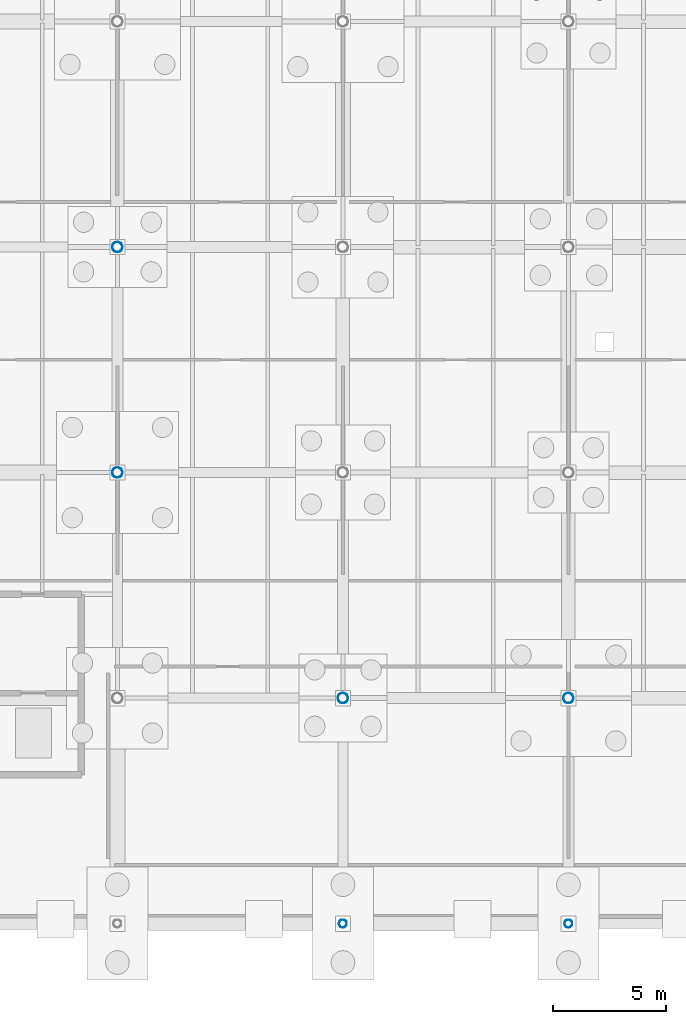
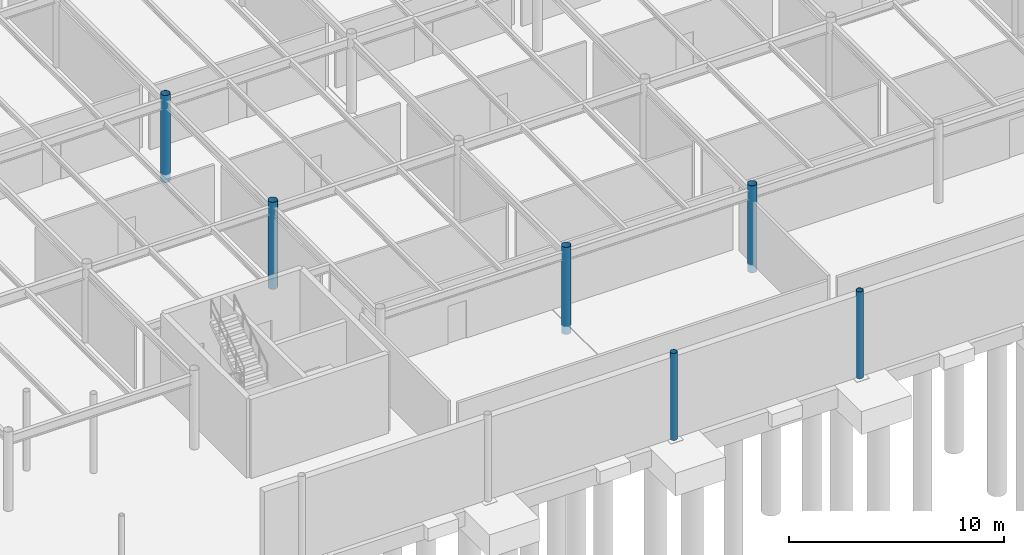
# One storey, part 20 of 75: 6 columns.
"""IFC4 building model written with IfcOpenShell, lengths in metres."""

from ifc_helpers import new_model, si_unit, derived_unit, direction, frame, origin, origin_2d_with_axis, place, context, subcontext, project, spatial, hollow_circle, extrude, material, material_profile, profile_set, type_object, element, save


model = new_model("IFC4")

# Units and contexts
model_context = context("Model", 3, precision=1e-05, world=origin(), true_north=direction((0.0, 1.0)))
body_context = subcontext(model_context, "Body", "Model", "MODEL_VIEW")
ifc_project = project(units=[si_unit("LENGTHUNIT", "METRE"), si_unit("AREAUNIT", "SQUARE_METRE"), si_unit("VOLUMEUNIT", "CUBIC_METRE"), si_unit("PLANEANGLEUNIT", "RADIAN"), si_unit("MASSUNIT", "GRAM", prefix="KILO"), derived_unit("THERMALTRANSMITTANCEUNIT", [(si_unit("POWERUNIT", "WATT"), 1), (si_unit("LENGTHUNIT", "METRE"), -2), (si_unit("THERMODYNAMICTEMPERATUREUNIT", "KELVIN"), -1)])], contexts=[model_context])

# Site, building, storey
site_placement = place(None, origin())
site = spatial("IfcSite", under=ifc_project, at=site_placement, CompositionType="ELEMENT")
building_placement = place(site_placement, origin())
building = spatial("IfcBuilding", under=site, at=building_placement, Name="Cinnabar Yard Market Hall", CompositionType="ELEMENT")
storey_placement = place(building_placement, frame((0.0, 0.0, -4.5)))
storey = spatial("IfcBuildingStorey", under=building, at=storey_placement, Name="B1", CompositionType="ELEMENT", Elevation=-4.5)

# Columns
ifc_material = material(Name="Spotted-gum glulam-clad steel Grade 350 (350 MPa)", Category="steel")
ifc_material_profile_1 = material_profile(ifc_material, hollow_circle(Radius=0.228515625, WallThickness=0.0126953125, at=origin_2d_with_axis()), Name="457.0x12.7CHS")
ifc_profile_set_1 = profile_set([ifc_material_profile_1], Name="Spotted-gum glulam-clad steel Grade 350 (350 MPa)")
column_type_1 = type_object("IfcColumnType", Name="COL-C01", PredefinedType="COLUMN", material=ifc_profile_set_1)
for number, where, z_axis, x_axis, name in (
    (1, (96.0, 34.0, -0.449951171875), (0.0, 0.0, 1.0), (1.0, 0.0, 0.0), "Tree Column V1I-03-02 B1"),
    (2, (96.0, 44.0, -0.449951171875), (0.0, 0.0, 1.0), (1.0, 0.0, 0.0), "Tree Column V1I-03-03 B1"),
    (3, (106.0, 24.0, -0.449951171875), (0.0, 0.0, 1.0), (1.0, 0.0, 0.0), "Tree Column V1I-04-01 B1"),
    (4, (116.0, 24.0, -0.449951171875), (0.0, 0.0, 1.0), (1.0, 0.0, 0.0), "Tree Column V1I-05-01 B1"),
):
    element("IfcColumn", number, at=place(storey_placement, frame(where, z_axis=z_axis, x_axis=x_axis)), inside=storey, type_object=column_type_1, Name=name, PredefinedType="COLUMN", context=body_context, shape_type="SweptSolid", body=[
        extrude(hollow_circle(Radius=0.228515625, WallThickness=0.0126953125, at=origin_2d_with_axis()), origin(), (0.0, 0.0, 1.0), 4.949951171875),
    ])
ifc_material_profile_2 = material_profile(ifc_material, hollow_circle(Radius=0.177734375, WallThickness=0.0126953125, at=origin_2d_with_axis()), Name="355.6x12.7CHS")
ifc_profile_set_2 = profile_set([ifc_material_profile_2], Name="Spotted-gum glulam-clad steel Grade 350 (350 MPa)")
column_type_2 = type_object("IfcColumnType", Name="COL-C02", PredefinedType="COLUMN", material=ifc_profile_set_2)
for number, where, z_axis, x_axis, name in (
    (5, (106.0, 14.0, -0.449951171875), (0.0, 0.0, 1.0), (1.0, 0.0, 0.0), "Tree Column V1S-03 B1"),
    (6, (116.0, 14.0, -0.449951171875), (0.0, 0.0, 1.0), (1.0, 0.0, 0.0), "Tree Column V1S-04 B1"),
):
    element("IfcColumn", number, at=place(storey_placement, frame(where, z_axis=z_axis, x_axis=x_axis)), inside=storey, type_object=column_type_2, Name=name, PredefinedType="COLUMN", context=body_context, shape_type="SweptSolid", body=[
        extrude(hollow_circle(Radius=0.177734375, WallThickness=0.0126953125, at=origin_2d_with_axis()), origin(), (0.0, 0.0, 1.0), 4.949951171875),
    ])

save(model, "model.ifc")
